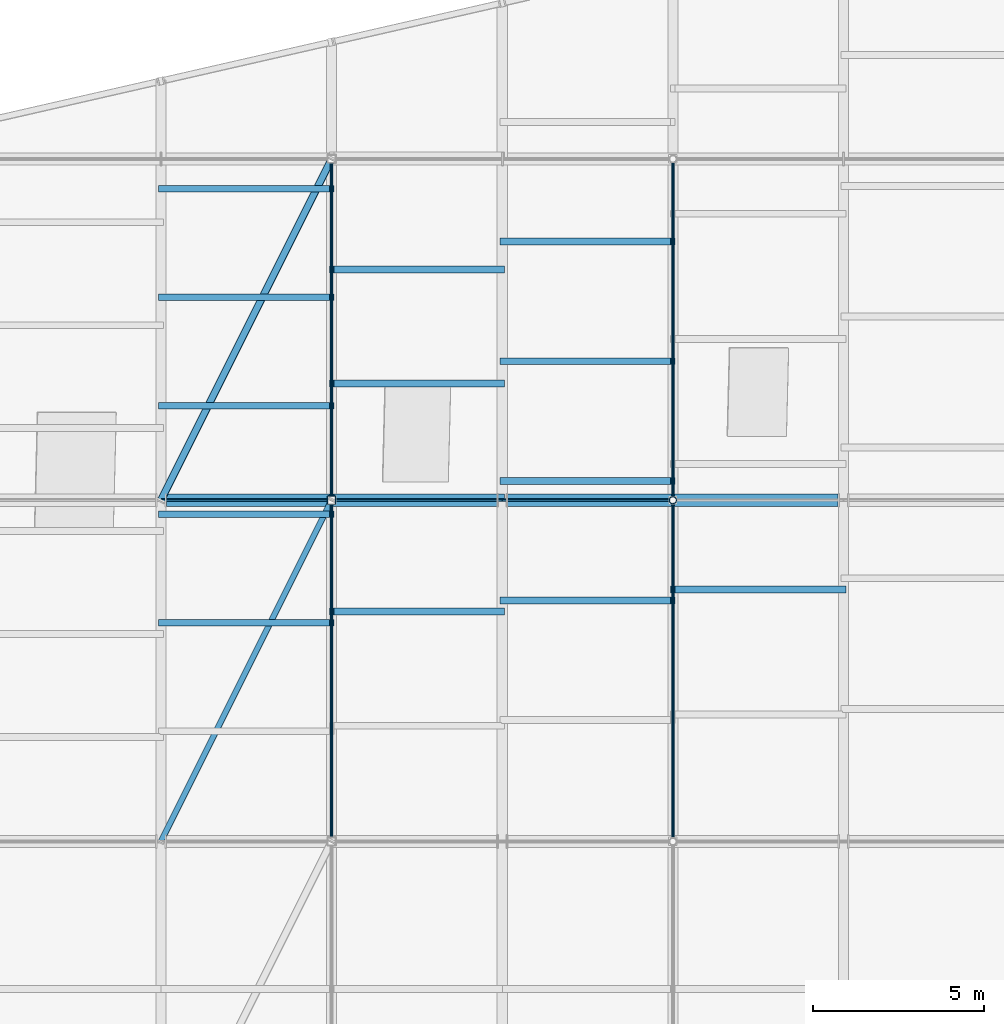
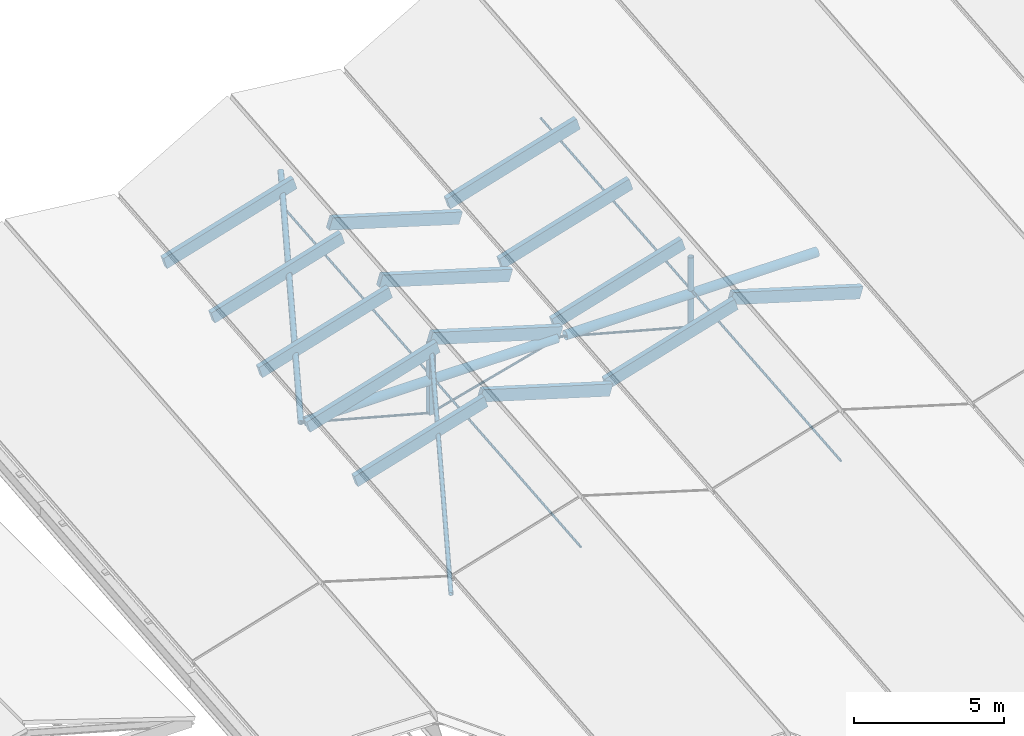
# One storey, part 49 of 90: 25 members, 2 beams.
"""IFC4 building model written with IfcOpenShell, lengths in metres."""

from ifc_helpers import new_model, si_unit, direction, frame, origin, origin_2d, place, context, subcontext, project, spatial, rectangle, hollow_rectangle, circle, hollow_circle, extrude, material, material_profile, profile_set, type_object, element, save


model = new_model("IFC4")

# Units and contexts
model_context = context("Model", 3, precision=1e-05, world=origin(), true_north=direction((0.0, 1.0)))
body_context = subcontext(model_context, "Body", "Model", "MODEL_VIEW")
ifc_project = project(units=[si_unit("LENGTHUNIT", "METRE"), si_unit("AREAUNIT", "SQUARE_METRE"), si_unit("VOLUMEUNIT", "CUBIC_METRE"), si_unit("PLANEANGLEUNIT", "RADIAN"), si_unit("MASSUNIT", "GRAM", prefix="KILO"), si_unit("THERMODYNAMICTEMPERATUREUNIT", "KELVIN"), si_unit("POWERUNIT", "WATT")], contexts=[model_context])

# Site, building, storey
site_placement = place(None, origin())
site = spatial("IfcSite", under=ifc_project, at=site_placement, CompositionType="ELEMENT")
building_placement = place(site_placement, origin())
building = spatial("IfcBuilding", under=site, at=building_placement, Name="Korenveer Ferry Terminal", CompositionType="ELEMENT")
storey_placement = place(building_placement, frame((0.0, 0.0, 22.199951171875)))
storey = spatial("IfcBuildingStorey", under=building, at=storey_placement, Name="RF", CompositionType="ELEMENT", Elevation=22.199951171875)

# Members
ifc_material_1 = material(Name="Steel S355", Category="steel")
ifc_material_profile_1 = material_profile(ifc_material_1, hollow_circle(Radius=0.084228515625, WallThickness=0.010009765625, at=origin_2d()), Name="CHS 168.3x10")
ifc_profile_set_1 = profile_set([ifc_material_profile_1], Name="Steel S355")
member_type_1 = type_object("IfcMemberType", Name="STR-BRC-CHS168", PredefinedType="BRACE", material=ifc_profile_set_1)
member_1_placement = place(storey_placement, frame((63.0, 80.0, -5.95361328125), z_axis=(0.437110045644, 0.874220091289, 0.211362342872), x_axis=(-0.894427191, 0.4472135955, 0.0)))
element("IfcMember", 1, at=member_1_placement, inside=storey, type_object=member_type_1, Name="Roof wind brace BRCRF-B1-Y80", PredefinedType="BRACE", context=body_context, shape_type="SweptSolid", body=[
    extrude(hollow_circle(Radius=0.084228515625, WallThickness=0.010009765625, at=origin_2d()), origin(), (0.0, 0.0, 1.0), 11.438720703125),
])
ifc_material_profile_2 = material_profile(ifc_material_1, hollow_circle(Radius=0.109619140625, WallThickness=0.012451171875, at=origin_2d()), Name="CHS 219.1x12.5")
ifc_profile_set_2 = profile_set([ifc_material_profile_2], Name="Steel S355")
member_type_2 = type_object("IfcMemberType", Name="STR-BRC-CHS219", PredefinedType="BRACE", material=ifc_profile_set_2)
member_2_placement = place(storey_placement, frame((63.0, 90.0, -5.045654296875), z_axis=(0.437110045644, 0.874220091289, 0.211362342872), x_axis=(-0.894427191, 0.4472135955, 0.0)))
element("IfcMember", 2, at=member_2_placement, inside=storey, type_object=member_type_2, Name="Roof wind brace BRCRF-B1-Y90", PredefinedType="BRACE", context=body_context, shape_type="SweptSolid", body=[
    extrude(hollow_circle(Radius=0.109619140625, WallThickness=0.012451171875, at=origin_2d()), origin(), (0.0, 0.0, 1.0), 11.438720703125),
])
ifc_material_2 = material(Name="High-strength steel S460", Category="steel")
ifc_material_profile_3 = material_profile(ifc_material_2, circle(Radius=0.044921875, at=origin_2d()), Name="ROD D90")
ifc_profile_set_3 = profile_set([ifc_material_profile_3], Name="High-strength steel S460")
member_type_3 = type_object("IfcMemberType", Name="STR-CBL-D90", PredefinedType="USERDEFINED", material=ifc_profile_set_3)
for number, where, z_axis, x_axis, name in (
    (3, (63.0, 90.0, -5.045654296875), (0.965424337217, 0.0, -0.260683426993), (0.0, 1.0, 0.0), "Roof tension tie cable 73"),
    (4, (73.0, 90.0, -5.045654296875), (-0.965424337217, 0.0, -0.260683426993), (0.0, -1.0, 0.0), "Roof tension tie cable 74"),
    (5, (73.0, 90.0, -5.045654296875), (0.965424337217, 0.0, -0.260683426993), (0.0, 1.0, 0.0), "Roof tension tie cable 75"),
):
    element("IfcMember", number, at=place(storey_placement, frame(where, z_axis=z_axis, x_axis=x_axis)), inside=storey, type_object=member_type_3, Name=name, ObjectType="CABLE", PredefinedType="USERDEFINED", context=body_context, shape_type="SweptSolid", body=[
        extrude(circle(Radius=0.044921875, at=origin_2d()), origin(), (0.0, 0.0, 1.0), 5.178955078125),
    ])
for number, where, z_axis, x_axis, name in (
    (6, (68.0, 80.0, -5.7939453125), (0.0, 0.995903364261, 0.090423940715), (-1.0, 0.0, 0.0), "Longitudinal jaw-stay cable 107"),
    (7, (68.0, 90.0, -4.885986328125), (0.0, 0.995903364261, 0.090423940715), (-1.0, 0.0, 0.0), "Longitudinal jaw-stay cable 108"),
    (8, (78.0, 80.0, -5.7939453125), (0.0, 0.995903364261, 0.090423940715), (-1.0, 0.0, 0.0), "Longitudinal jaw-stay cable 112"),
    (9, (78.0, 90.0, -4.885986328125), (0.0, 0.995903364261, 0.090423940715), (-1.0, 0.0, 0.0), "Longitudinal jaw-stay cable 113"),
):
    element("IfcMember", number, at=place(storey_placement, frame(where, z_axis=z_axis, x_axis=x_axis)), inside=storey, type_object=member_type_3, Name=name, ObjectType="CABLE", PredefinedType="USERDEFINED", context=body_context, shape_type="SweptSolid", body=[
        extrude(circle(Radius=0.044921875, at=origin_2d()), origin(), (0.0, 0.0, 1.0), 10.041015625),
    ])
ifc_material_3 = material(Name="Glulam GL28h", Category="wood")
ifc_material_profile_4 = material_profile(ifc_material_3, rectangle(XDim=0.199951171875, YDim=0.47998046875, at=origin_2d()), Name="GL 200x480")
ifc_profile_set_4 = profile_set([ifc_material_profile_4], Name="Glulam GL28h")
member_type_4 = type_object("IfcMemberType", Name="STR-PUR-GL200", PredefinedType="PURLIN", material=ifc_profile_set_4)
for number, where, z_axis, x_axis, name in (
    (10, (63.0, 86.408203125, -5.21337890625), (0.957323074362, 0.0, 0.289019949647), (0.0, 1.0, 0.0), "Folded roof glulam purlin 62"),
    (11, (63.0, 89.58740234375, -4.9248046875), (0.957310140112, 0.0, 0.289062788401), (0.0, 1.0, 0.0), "Folded roof glulam purlin 63"),
    (12, (63.0, 92.7666015625, -4.63623046875), (0.957310140112, 0.0, 0.289062788401), (0.0, 1.0, 0.0), "Folded roof glulam purlin 64"),
    (13, (63.0, 95.94580078125, -4.347412109375), (0.957310140112, 0.0, 0.289062788401), (0.0, 1.0, 0.0), "Folded roof glulam purlin 65"),
    (14, (63.0, 99.124755859375, -4.058837890625), (0.957310140112, 0.0, 0.289062788401), (0.0, 1.0, 0.0), "Folded roof glulam purlin 66"),
    (15, (68.0, 86.73486328125, -3.674072265625), (0.957310140112, 0.0, -0.289062788401), (0.0, 1.0, 0.0), "Folded roof glulam purlin 68"),
    (16, (68.0, 90.0771484375, -3.37060546875), (0.957310140112, 0.0, -0.289062788401), (0.0, 1.0, 0.0), "Folded roof glulam purlin 69"),
    (17, (68.0, 93.419677734375, -3.067138671875), (0.957310140112, 0.0, -0.289062788401), (0.0, 1.0, 0.0), "Folded roof glulam purlin 70"),
    (18, (68.0, 96.761962890625, -2.763671875), (0.957310140112, 0.0, -0.289062788401), (0.0, 1.0, 0.0), "Folded roof glulam purlin 71"),
    (19, (73.0, 87.061279296875, -5.154052734375), (0.957323074362, 0.0, 0.289019949647), (0.0, 1.0, 0.0), "Folded roof glulam purlin 98"),
    (20, (73.0, 90.567138671875, -4.8359375), (0.957310140112, 0.0, 0.289062788401), (0.0, 1.0, 0.0), "Folded roof glulam purlin 99"),
    (21, (73.0, 94.07275390625, -4.517578125), (0.957310140112, 0.0, 0.289062788401), (0.0, 1.0, 0.0), "Folded roof glulam purlin 100"),
    (22, (73.0, 97.578369140625, -4.19921875), (0.957310140112, 0.0, 0.289062788401), (0.0, 1.0, 0.0), "Folded roof glulam purlin 101"),
    (23, (78.0, 87.387939453125, -3.61474609375), (0.957310140112, 0.0, -0.289062788401), (0.0, 1.0, 0.0), "Folded roof glulam purlin 104"),
):
    element("IfcMember", number, at=place(storey_placement, frame(where, z_axis=z_axis, x_axis=x_axis)), inside=storey, type_object=member_type_4, Name=name, PredefinedType="PURLIN", context=body_context, shape_type="SweptSolid", body=[
        extrude(rectangle(XDim=0.199951171875, YDim=0.47998046875, at=origin_2d()), origin(), (0.0, 0.0, 1.0), 5.222900390625),
    ])

# Beams
ifc_material_profile_5 = material_profile(ifc_material_1, hollow_circle(Radius=0.177734375, WallThickness=0.01611328125, at=origin_2d()), Name="CHS 355.6x16")
ifc_profile_set_5 = profile_set([ifc_material_profile_5], Name="Steel S355")
beam_type = type_object("IfcBeamType", Name="STR-RFG-CHS355", PredefinedType="USERDEFINED", material=ifc_profile_set_5)
for number, where, z_axis, x_axis, name in (
    (24, (63.159912109375, 90.0, -5.045654296875), (1.0, 0.0, 0.0), (0.0, 1.0, 0.0), "Roof transverse tie girder 125"),
    (25, (73.159912109375, 90.0, -5.045654296875), (1.0, 0.0, 0.0), (0.0, 1.0, 0.0), "Roof transverse tie girder 126"),
):
    element("IfcBeam", number, at=place(storey_placement, frame(where, z_axis=z_axis, x_axis=x_axis)), inside=storey, type_object=beam_type, Name=name, ObjectType="ROOF GIRDER", PredefinedType="USERDEFINED", context=body_context, shape_type="SweptSolid", body=[
        extrude(hollow_circle(Radius=0.177734375, WallThickness=0.01611328125, at=origin_2d()), origin(), (0.0, 0.0, 1.0), 9.68017578125),
    ])

# Members
ifc_material_profile_6 = material_profile(ifc_material_1, hollow_circle(Radius=0.109619140625, WallThickness=0.012451171875, at=origin_2d()), Name="CHS 219.1x12.5")
ifc_profile_set_6 = profile_set([ifc_material_profile_6], Name="Steel S355")
member_type_5 = type_object("IfcMemberType", Name="STR-STT-CHS219", PredefinedType="STRUT", material=ifc_profile_set_6)
member_3_placement = place(storey_placement, frame((78.0, 90.0, -6.395751953125), z_axis=(0.0, 0.0, 1.0), x_axis=(1.0, 0.0, 0.0)))
element("IfcMember", 26, at=member_3_placement, inside=storey, type_object=member_type_5, Name="Roof king-post strut STTKP-Y90-B2", PredefinedType="STRUT", context=body_context, shape_type="SweptSolid", body=[
    extrude(hollow_circle(Radius=0.109619140625, WallThickness=0.012451171875, at=origin_2d()), origin(), (0.0, 0.0, 1.0), 2.85986328125),
])
ifc_material_profile_7 = material_profile(ifc_material_1, hollow_rectangle(XDim=0.25, YDim=0.25, WallThickness=0.012451171875, InnerFilletRadius=0.012451171875, OuterFilletRadius=0.018798828125, at=origin_2d()), Name="SHS 250x250x12.5")
ifc_profile_set_7 = profile_set([ifc_material_profile_7], Name="Steel S355")
member_type_6 = type_object("IfcMemberType", Name="STR-STT-SHS250", PredefinedType="STRUT", material=ifc_profile_set_7)
member_4_placement = place(storey_placement, frame((68.0, 90.0, -6.395751953125), z_axis=(0.0, 0.0, 1.0), x_axis=(1.0, 0.0, 0.0)))
element("IfcMember", 27, at=member_4_placement, inside=storey, type_object=member_type_6, Name="Roof king-post strut STTKP-Y90-B1", PredefinedType="STRUT", context=body_context, shape_type="SweptSolid", body=[
    extrude(hollow_rectangle(XDim=0.25, YDim=0.25, WallThickness=0.012451171875, InnerFilletRadius=0.012451171875, OuterFilletRadius=0.018798828125, at=origin_2d()), origin(), (0.0, 0.0, 1.0), 2.85986328125),
])

save(model, "model.ifc")
